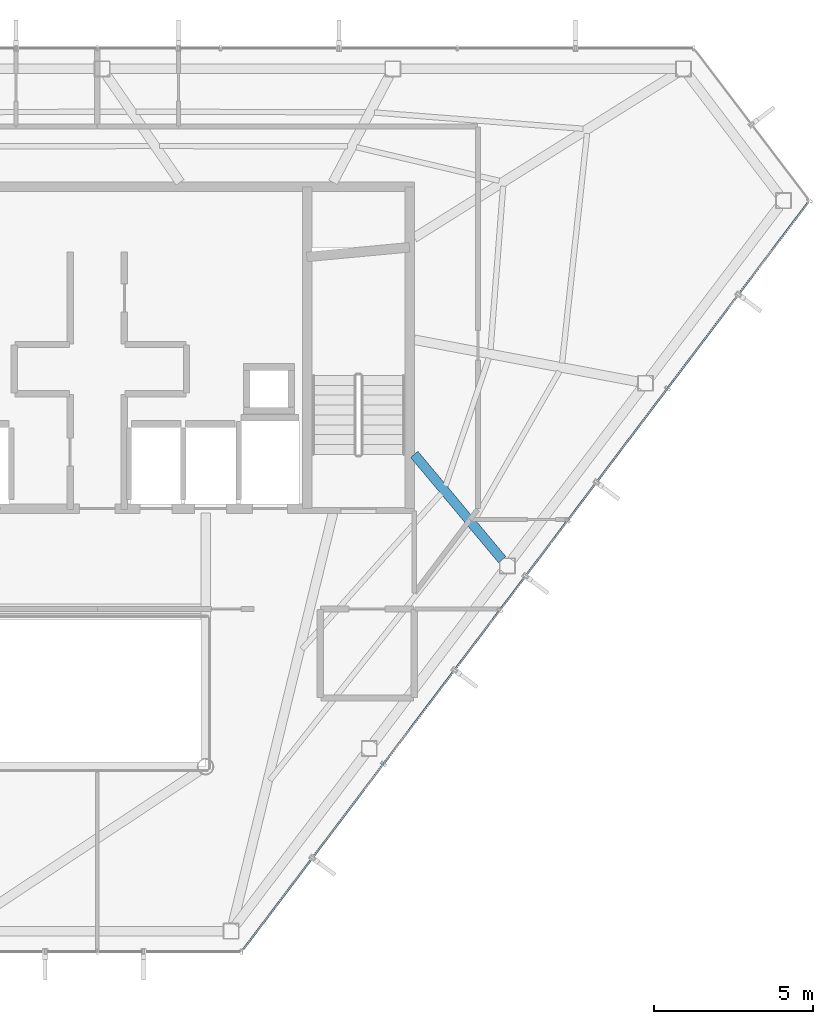
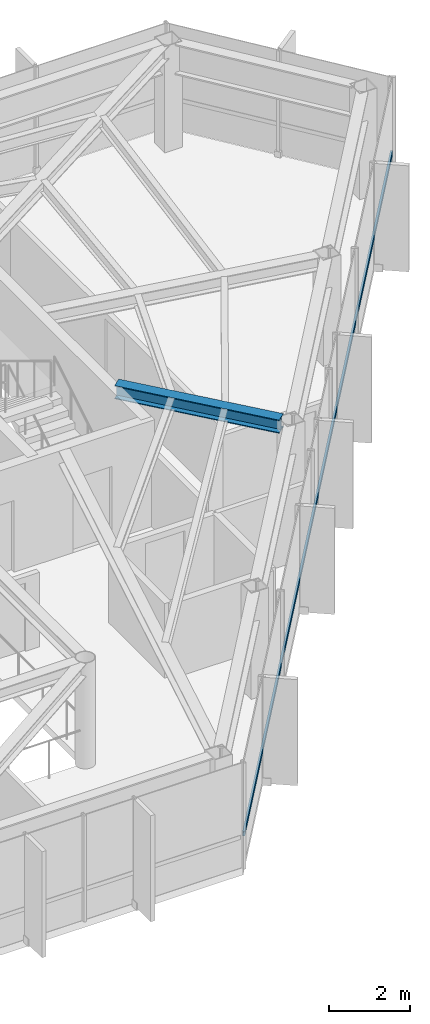
# One storey, part 16 of 24: 1 beam, 1 member, 1 element without a shape of its own.
"""IFC4 building model written with IfcOpenShell, lengths in metres."""

from ifc_helpers import new_model, si_unit, direction, frame, origin, origin_2d, place, context, subcontext, project, spatial, hollow_rectangle, i_section, extrude, material, layer, layer_set, material_profile, profile_set, type_object, element, aggregate, save


model = new_model("IFC4")

# Units and contexts
model_context = context("Model", 3, precision=1e-05, world=origin(), true_north=direction((0.0, 1.0)))
body_context = subcontext(model_context, "Body", "Model", "MODEL_VIEW")
ifc_project = project(units=[si_unit("LENGTHUNIT", "METRE"), si_unit("AREAUNIT", "SQUARE_METRE"), si_unit("VOLUMEUNIT", "CUBIC_METRE"), si_unit("PLANEANGLEUNIT", "RADIAN"), si_unit("MASSUNIT", "GRAM", prefix="KILO")], contexts=[model_context])

# Site, building, storey
site_placement = place(None, origin())
site = spatial("IfcSite", under=ifc_project, at=site_placement, CompositionType="ELEMENT")
building_placement = place(site_placement, origin())
building = spatial("IfcBuilding", under=site, at=building_placement, Name="Zarrinselat Tower", CompositionType="ELEMENT")
storey_placement = place(building_placement, frame((0.0, 0.0, 272.0)))
storey = spatial("IfcBuildingStorey", under=building, at=storey_placement, Name="L69", CompositionType="ELEMENT", Elevation=272.0)

# Beam
ifc_material_1 = material(Name="Steel S355J2", Category="steel")
ifc_material_profile_1 = material_profile(ifc_material_1, i_section(OverallWidth=0.300048828125, OverallDepth=0.39990234375, WebThickness=0.013427734375, FlangeThickness=0.02392578125, at=origin_2d()), Name="HEB 400")
ifc_profile_set_1 = profile_set([ifc_material_profile_1], Name="Steel S355J2")
beam_type = type_object("IfcBeamType", Name="BM-HEB400", PredefinedType="BEAM", material=ifc_profile_set_1)
beam_placement = place(storey_placement, frame((48.35009765625, 35.0, 2.97998046875), z_axis=(0.64127675629, -0.767309664895, 0.0), x_axis=(0.767309664895, 0.64127675629, 0.0)))
element("IfcBeam", 1, at=beam_placement, inside=storey, type_object=beam_type, Name="L69 Radial Primary Girder RG13", PredefinedType="BEAM", context=body_context, shape_type="SweptSolid", body=[
    extrude(i_section(OverallWidth=0.300048828125, OverallDepth=0.39990234375, WebThickness=0.013427734375, FlangeThickness=0.02392578125, at=origin_2d()), origin(), (0.0, 0.0, 1.0), 4.30615234375),
])

# Curtain wall, member
ifc_material_2 = material(Name="Extruded Aluminium Alloy EN AW-6063 T6", Category="aluminium")
ifc_layer = layer(ifc_material_2, 0.199951171875)
ifc_layer_set = layer_set([ifc_layer], Name="Extruded Aluminium Alloy EN AW-6063 T6")
curtain_wall_type = type_object("IfcCurtainWallType", Name="CWS-BLADE", PredefinedType="NOTDEFINED", material=ifc_layer_set)
curtain_wall_placement = place(storey_placement, origin())
curtain_wall = element("IfcCurtainWall", 2, at=curtain_wall_placement, inside=storey, type_object=curtain_wall_type, Name="L69 Unitised Curtain Wall CW-L69-E05", PredefinedType="NOTDEFINED")
ifc_material_3 = material(Name="Extruded Aluminium Alloy EN AW-6063 T6", Category="aluminium")
ifc_material_profile_2 = material_profile(ifc_material_3, hollow_rectangle(XDim=0.06005859375, YDim=0.139892578125, WallThickness=0.00390625, at=origin_2d()), Name="RHS 140x60x4")
ifc_profile_set_2 = profile_set([ifc_material_profile_2], Name="Extruded Aluminium Alloy EN AW-6063 T6")
member_type = type_object("IfcMemberType", Name="MEM-CW-TRN", PredefinedType="USERDEFINED", material=ifc_profile_set_2)
member_placement = place(storey_placement, frame((42.9814453125, 19.459716796875, 0.949951171875), z_axis=(0.603166040735, 0.797615651366, 0.0), x_axis=(-0.797615651366, 0.603166040735, 0.0)))
member = element("IfcMember", 3, at=member_placement, type_object=member_type, Name="CW-L69-E05 Transom 1", ObjectType="TRANSOM", PredefinedType="USERDEFINED", context=body_context, shape_type="SweptSolid", body=[
    extrude(hollow_rectangle(XDim=0.06005859375, YDim=0.139892578125, WallThickness=0.00390625, at=origin_2d()), origin(), (0.0, 0.0, 1.0), 29.38232421875),
])
aggregate(curtain_wall, [member])

save(model, "model.ifc")
